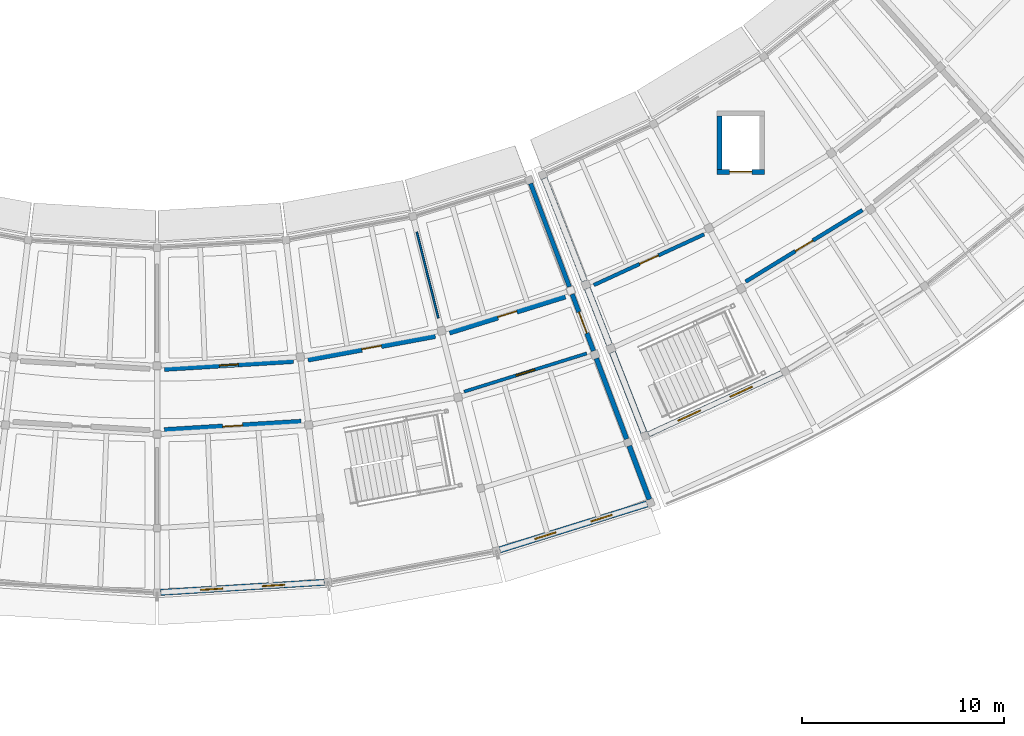
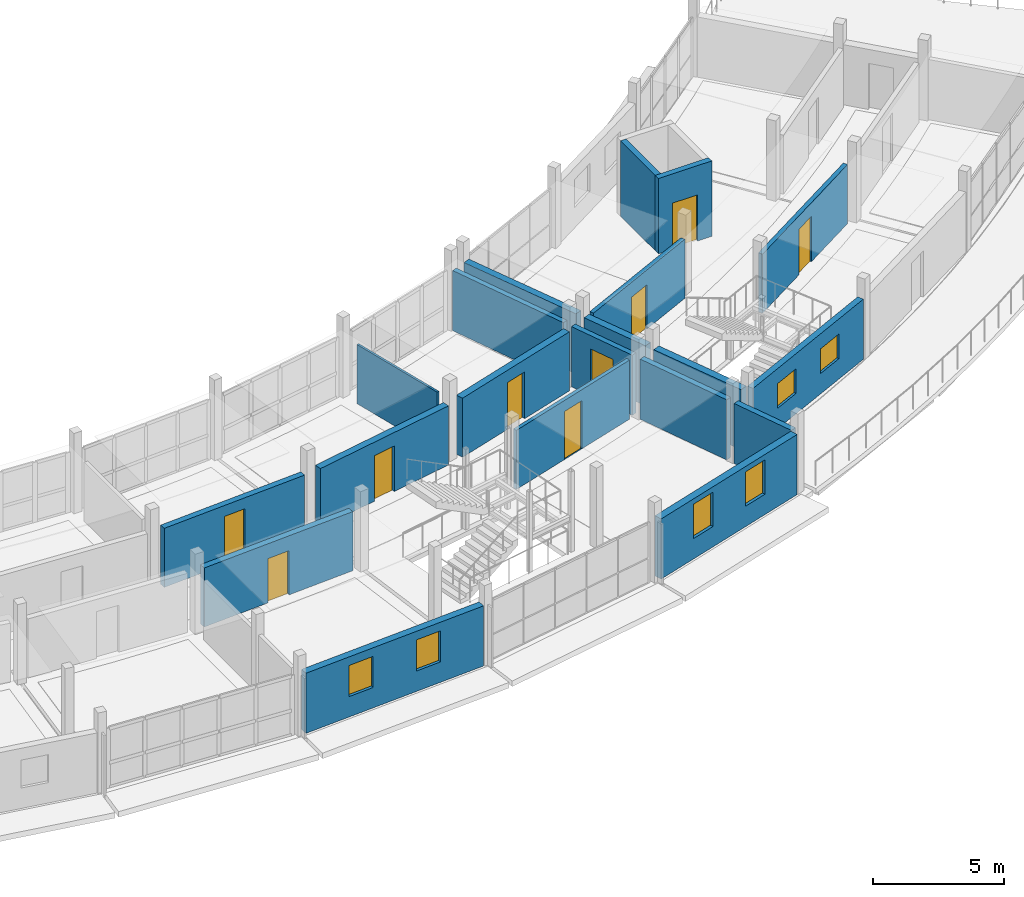
# One storey, part 27 of 36: 20 walls, 9 doors, 6 windows, 15 openings.
"""IFC4 building model written with IfcOpenShell, lengths in metres."""

from ifc_helpers import new_model, si_unit, direction, frame, frame_2d, origin, place, context, subcontext, project, spatial, rectangle, extrude, material, layer, layer_set, type_object, element, fill, save


model = new_model("IFC4")

# Units and contexts
model_context = context("Model", 3, precision=1e-05, world=origin(), true_north=direction((0.0, 1.0)))
body_context = subcontext(model_context, "Body", "Model", "MODEL_VIEW")
ifc_project = project(units=[si_unit("LENGTHUNIT", "METRE"), si_unit("AREAUNIT", "SQUARE_METRE"), si_unit("VOLUMEUNIT", "CUBIC_METRE"), si_unit("PLANEANGLEUNIT", "RADIAN"), si_unit("MASSUNIT", "GRAM", prefix="KILO")], contexts=[model_context])

# Site, building, storey
site_placement = place(None, origin())
site = spatial("IfcSite", under=ifc_project, at=site_placement, CompositionType="ELEMENT")
building_placement = place(site_placement, origin())
building = spatial("IfcBuilding", under=site, at=building_placement, Name="Caldaven Crescent School", CompositionType="ELEMENT")
storey_placement = place(building_placement, frame((0.0, 0.0, 11.89990234375)))
storey = spatial("IfcBuildingStorey", under=building, at=storey_placement, Name="L03", CompositionType="ELEMENT", Elevation=11.89990234375)

# Wall, opening, door
ifc_material_1 = material(Name="Concrete C35/45", Category="concrete")
ifc_layer_1 = layer(ifc_material_1, 0.300048828125)
ifc_layer_set_1 = layer_set([ifc_layer_1], Name="Concrete C35/45")
wall_type_1 = type_object("IfcWallType", Name="WAL-CW1", PredefinedType="SHEAR", material=ifc_layer_set_1)
wall_1_placement = place(storey_placement, frame((115.771484375, 47.313720703125, 0.0), z_axis=(0.0, 0.0, 1.0), x_axis=(1.0, 0.0, 0.0)))
wall_1 = element("IfcWall", 1, at=wall_1_placement, inside=storey, type_object=wall_type_1, Name="CW-LF6-L03-S", PredefinedType="SHEAR", context=body_context, shape_type="SweptSolid", body=[
    extrude(rectangle(XDim=2.349853515625, YDim=0.25, at=frame_2d((1.1748046875, 0.0))), origin(), (0.0, 0.0, 1.0), 3.510009765625),
])
opening_1_placement = place(wall_1_placement, frame((0.625, 0.0, 0.0)))
opening_1 = element("IfcOpeningElement", 2, at=opening_1_placement, cuts=wall_1, Name="Opening LD-LF6-L03", PredefinedType="OPENING", context=body_context, shape_type="SweptSolid", body=[
    extrude(rectangle(XDim=1.10009765625, YDim=2.14990234375, at=frame_2d((0.550048828125, 1.074951171875))), frame((0.0, 0.135009765625, 0.0), z_axis=(0.0, -1.0, 0.0), x_axis=(1.0, 0.0, 0.0)), (0.0, 0.0, 1.0), 0.27001953125),
])
ifc_material_2 = material(Name="Brushed stainless-steel automatic telescopic landing door", Category="steel")
door_type_1 = type_object("IfcDoorType", Name="DOR-LD01", OperationType="DOUBLE_DOOR_SLIDING", PredefinedType="DOOR", material=ifc_material_2)
door_1_placement = place(opening_1_placement, origin())
door_1 = element("IfcDoor", 3, at=door_1_placement, inside=storey, type_object=door_type_1, Name="DOR-LD-LF6-L03", OperationType="DOUBLE_DOOR_SLIDING", OverallHeight=2.14990234375, OverallWidth=1.10009765625, PredefinedType="DOOR", context=body_context, shape_type="SweptSolid", body=[
    extrude(rectangle(XDim=1.10009765625, YDim=2.14990234375, at=frame_2d((0.550048828125, 1.074951171875))), frame((0.0, 0.02490234375, 0.0), z_axis=(0.0, -1.0, 0.0), x_axis=(1.0, 0.0, 0.0)), (0.0, 0.0, 1.0), 0.050048828125),
])
fill(opening_1, door_1)

# Walls
ifc_layer_2 = layer(ifc_material_1, 0.25)
ifc_layer_set_2 = layer_set([ifc_layer_2], Name="Concrete C35/45")
wall_type_2 = type_object("IfcWallType", Name="WAL-CW2", PredefinedType="SHEAR", material=ifc_layer_set_2)
wall_2_placement = place(storey_placement, frame((115.896484375, 47.438720703125, 0.0), z_axis=(0.0, 0.0, 1.0), x_axis=(0.0, 1.0, 0.0)))
element("IfcWall", 4, at=wall_2_placement, inside=storey, type_object=wall_type_2, Name="CW-LF6-L03-W", PredefinedType="SHEAR", context=body_context, shape_type="SweptSolid", body=[
    extrude(rectangle(XDim=2.64990234375, YDim=0.25, at=frame_2d((1.324951171875, 0.0))), origin(), (0.0, 0.0, 1.0), 3.510009765625),
])
ifc_material_3 = material(Name="Precast concrete C35/45", Category="concrete")
ifc_layer_3 = layer(ifc_material_3, 0.216064453125)
ifc_layer_set_3 = layer_set([ifc_layer_3], Name="Precast concrete C35/45")
wall_type_3 = type_object("IfcWallType", Name="WAL-EW03", PredefinedType="STANDARD", material=ifc_layer_set_3)
wall_3_placement = place(storey_placement, frame((106.523193359375, 46.734130859375, 0.0), z_axis=(0.0, 0.0, 1.0), x_axis=(0.351945179515, -0.936020614418, 0.0)))
element("IfcWall", 5, at=wall_3_placement, inside=storey, type_object=wall_type_3, Name="EW-L03-212", PredefinedType="STANDARD", context=body_context, shape_type="SweptSolid", body=[
    extrude(rectangle(XDim=5.468994140625, YDim=0.216064453125, at=frame_2d((2.734375, 0.0))), origin(), (0.0, 0.0, 1.0), 2.800048828125),
])

# Wall, opening, door
ifc_layer_4 = layer(ifc_material_3, 0.22802734375)
ifc_layer_set_4 = layer_set([ifc_layer_4], Name="Precast concrete C35/45")
wall_type_4 = type_object("IfcWallType", Name="WAL-EW04", PredefinedType="STANDARD", material=ifc_layer_set_4)
wall_4_placement = place(storey_placement, frame((108.58740234375, 41.244384765625, 0.0), z_axis=(0.0, 0.0, 1.0), x_axis=(0.35191601468, -0.936031579922, 0.0)))
wall_4 = element("IfcWall", 6, at=wall_4_placement, inside=storey, type_object=wall_type_4, Name="EW-L03-213", PredefinedType="STANDARD", context=body_context, shape_type="SweptSolid", body=[
    extrude(rectangle(XDim=3.00390625, YDim=0.22802734375, at=frame_2d((1.501953125, 0.0))), origin(), (0.0, 0.0, 1.0), 2.800048828125),
])
opening_2_placement = place(wall_4_placement, frame((0.94189453125, 0.0, 0.0)))
opening_2 = element("IfcOpeningElement", 7, at=opening_2_placement, cuts=wall_4, Name="Opening D-L03-E035", PredefinedType="OPENING", context=body_context, shape_type="SweptSolid", body=[
    extrude(rectangle(XDim=1.1201171875, YDim=2.179931640625, at=frame_2d((0.56005859375, 1.08984375))), frame((0.0, 0.1240234375, 0.0), z_axis=(0.0, -1.0, 0.0), x_axis=(1.0, 0.0, 0.0)), (0.0, 0.0, 1.0), 0.248046875),
])
ifc_material_4 = material(Name="Thermally broken bronze-anodised aluminium and laminated safety glass", Category="aluminium")
door_type_2 = type_object("IfcDoorType", Name="DOR-EX04", OperationType="NOTDEFINED", PredefinedType="DOOR", material=ifc_material_4)
door_2_placement = place(opening_2_placement, origin())
door_2 = element("IfcDoor", 8, at=door_2_placement, inside=storey, type_object=door_type_2, Name="DOR-EXT-L03-035", OperationType="SINGLE_SWING_RIGHT", OverallHeight=2.179931640625, OverallWidth=1.1201171875, PredefinedType="DOOR", context=body_context, shape_type="SweptSolid", body=[
    extrude(rectangle(XDim=1.1201171875, YDim=2.179931640625, at=frame_2d((0.56005859375, 1.08984375))), frame((0.0, 0.02490234375, 0.0), z_axis=(0.0, -1.0, 0.0), x_axis=(1.0, 0.0, 0.0)), (0.0, 0.0, 1.0), 0.050048828125),
])
fill(opening_2, door_2)

# Walls
ifc_layer_5 = layer(ifc_material_3, 0.239990234375)
ifc_layer_set_5 = layer_set([ifc_layer_5], Name="Precast concrete C35/45")
wall_type_5 = type_object("IfcWallType", Name="WAL-EW05", PredefinedType="STANDARD", material=ifc_layer_set_5)
wall_5_placement = place(storey_placement, frame((109.783935546875, 38.061767578125, 0.0), z_axis=(0.0, 0.0, 1.0), x_axis=(0.351894221541, -0.936039773111, 0.0)))
element("IfcWall", 9, at=wall_5_placement, inside=storey, type_object=wall_type_5, Name="EW-L03-214", PredefinedType="STANDARD", context=body_context, shape_type="SweptSolid", body=[
    extrude(rectangle(XDim=4.268798828125, YDim=0.239990234375, at=frame_2d((2.13427734375, 0.0))), origin(), (0.0, 0.0, 1.0), 2.800048828125),
])
ifc_layer_6 = layer(ifc_material_3, 0.251953125)
ifc_layer_set_6 = layer_set([ifc_layer_6], Name="Precast concrete C35/45")
wall_type_6 = type_object("IfcWallType", Name="WAL-EW06", PredefinedType="STANDARD", material=ifc_layer_set_6)
wall_6_placement = place(storey_placement, frame((111.4150390625, 33.723388671875, 0.0), z_axis=(0.0, 0.0, 1.0), x_axis=(0.351925812761, -0.936027896119, 0.0)))
element("IfcWall", 10, at=wall_6_placement, inside=storey, type_object=wall_type_6, Name="EW-L03-215", PredefinedType="STANDARD", context=body_context, shape_type="SweptSolid", body=[
    extrude(rectangle(XDim=2.833984375, YDim=0.251953125, at=frame_2d((1.4169921875, 0.0))), origin(), (0.0, 0.0, 1.0), 2.800048828125),
])

# Wall, openings, windows
ifc_layer_7 = layer(ifc_material_3, 0.263916015625)
ifc_layer_set_7 = layer_set([ifc_layer_7], Name="Precast concrete C35/45")
wall_type_7 = type_object("IfcWallType", Name="WAL-EW07", PredefinedType="STANDARD", material=ifc_layer_set_7)
wall_7_placement = place(storey_placement, frame((112.369873046875, 34.298583984375, 0.0), z_axis=(0.0, 0.0, 1.0), x_axis=(0.908522029841, 0.417836955396, 0.0)))
wall_7 = element("IfcWall", 11, at=wall_7_placement, inside=storey, type_object=wall_type_7, Name="EW-L03-216", PredefinedType="STANDARD", context=body_context, shape_type="SweptSolid", body=[
    extrude(rectangle(XDim=7.279052734375, YDim=0.263916015625, at=frame_2d((3.6396484375, 0.0))), origin(), (0.0, 0.0, 1.0), 2.800048828125),
])
opening_3_placement = place(wall_7_placement, frame((1.613037109375, 0.0, 0.949951171875)))
opening_3 = element("IfcOpeningElement", 12, at=opening_3_placement, cuts=wall_7, Name="Opening W05", PredefinedType="OPENING", context=body_context, shape_type="SweptSolid", body=[
    extrude(rectangle(XDim=1.219970703125, YDim=1.14990234375, at=frame_2d((0.60986328125, 0.574951171875))), frame((0.0, 0.141845703125, 0.0), z_axis=(0.0, -1.0, 0.0), x_axis=(1.0, 0.0, 0.0)), (0.0, 0.0, 1.0), 0.283935546875),
])
opening_4_placement = place(wall_7_placement, frame((4.446044921875, 0.0, 0.949951171875)))
opening_4 = element("IfcOpeningElement", 13, at=opening_4_placement, cuts=wall_7, Name="Opening W05", PredefinedType="OPENING", context=body_context, shape_type="SweptSolid", body=[
    extrude(rectangle(XDim=1.219970703125, YDim=1.14990234375, at=frame_2d((0.60986328125, 0.574951171875))), frame((0.0, 0.141845703125, 0.0), z_axis=(0.0, -1.0, 0.0), x_axis=(1.0, 0.0, 0.0)), (0.0, 0.0, 1.0), 0.283935546875),
])
ifc_material_5 = material(Name="Thermally broken anodised aluminium AA 6063-T6 and low-E double glazing", Category="aluminium")
window_type_1 = type_object("IfcWindowType", Name="WIN-W05", PartitioningType="SINGLE_PANEL", PredefinedType="WINDOW", material=ifc_material_5)
window_1_placement = place(opening_3_placement, origin())
window_1 = element("IfcWindow", 14, at=window_1_placement, inside=storey, type_object=window_type_1, Name="WIN-L03-100-1", OverallHeight=1.14990234375, OverallWidth=1.219970703125, PartitioningType="SINGLE_PANEL", PredefinedType="WINDOW", context=body_context, shape_type="SweptSolid", body=[
    extrude(rectangle(XDim=1.219970703125, YDim=1.14990234375, at=frame_2d((0.60986328125, 0.574951171875))), frame((0.0, 0.030029296875, 0.0), z_axis=(0.0, -1.0, 0.0), x_axis=(1.0, 0.0, 0.0)), (0.0, 0.0, 1.0), 0.06005859375),
])
fill(opening_3, window_1)
window_2_placement = place(opening_4_placement, origin())
window_2 = element("IfcWindow", 15, at=window_2_placement, inside=storey, type_object=window_type_1, Name="WIN-L03-100-2", OverallHeight=1.14990234375, OverallWidth=1.219970703125, PartitioningType="SINGLE_PANEL", PredefinedType="WINDOW", context=body_context, shape_type="SweptSolid", body=[
    extrude(rectangle(XDim=1.219970703125, YDim=1.14990234375, at=frame_2d((0.60986328125, 0.574951171875))), frame((0.0, 0.030029296875, 0.0), z_axis=(0.0, -1.0, 0.0), x_axis=(1.0, 0.0, 0.0)), (0.0, 0.0, 1.0), 0.06005859375),
])
fill(opening_4, window_2)

# Wall
ifc_layer_8 = layer(ifc_material_3, 0.300048828125)
ifc_layer_set_8 = layer_set([ifc_layer_8], Name="Precast concrete C35/45")
wall_type_8 = type_object("IfcWallType", Name="WAL-EW10", PredefinedType="STANDARD", material=ifc_layer_set_8)
wall_8_placement = place(storey_placement, frame((107.199951171875, 46.993896484375, 0.0), z_axis=(0.0, 0.0, 1.0), x_axis=(0.364769628664, -0.931097802599, 0.0)))
element("IfcWall", 16, at=wall_8_placement, inside=storey, type_object=wall_type_8, Name="EW-L03-219", PredefinedType="STANDARD", context=body_context, shape_type="SweptSolid", body=[
    extrude(rectangle(XDim=5.46875, YDim=0.300048828125, at=frame_2d((2.734375, 0.0))), origin(), (0.0, 0.0, 1.0), 2.800048828125),
])

# Wall, openings, windows
ifc_layer_9 = layer(ifc_material_3, 0.31201171875)
ifc_layer_set_9 = layer_set([ifc_layer_9], Name="Precast concrete C35/45")
wall_type_9 = type_object("IfcWallType", Name="WAL-EW11", PredefinedType="STANDARD", material=ifc_layer_set_9)
wall_9_placement = place(storey_placement, frame((88.1826171875, 26.461181640625, 0.0), z_axis=(0.0, 0.0, 1.0), x_axis=(0.998134696936, 0.061050198789, 0.0)))
wall_9 = element("IfcWall", 17, at=wall_9_placement, inside=storey, type_object=wall_type_9, Name="EW-L03-206", PredefinedType="STANDARD", context=body_context, shape_type="SweptSolid", body=[
    extrude(rectangle(XDim=8.1259765625, YDim=0.31201171875, at=frame_2d((4.06298828125, 0.0))), origin(), (0.0, 0.0, 1.0), 2.800048828125),
])
opening_5_placement = place(wall_9_placement, frame((1.975341796875, 0.0, 0.949951171875)))
opening_5 = element("IfcOpeningElement", 18, at=opening_5_placement, cuts=wall_9, Name="Opening W03", PredefinedType="OPENING", context=body_context, shape_type="SweptSolid", body=[
    extrude(rectangle(XDim=1.10009765625, YDim=1.449951171875, at=frame_2d((0.550048828125, 0.72509765625))), frame((0.0, 0.166015625, 0.0), z_axis=(0.0, -1.0, 0.0), x_axis=(1.0, 0.0, 0.0)), (0.0, 0.0, 1.0), 0.33203125),
])
opening_6_placement = place(wall_9_placement, frame((5.050537109375, 0.0, 0.949951171875)))
opening_6 = element("IfcOpeningElement", 19, at=opening_6_placement, cuts=wall_9, Name="Opening W03", PredefinedType="OPENING", context=body_context, shape_type="SweptSolid", body=[
    extrude(rectangle(XDim=1.10009765625, YDim=1.449951171875, at=frame_2d((0.550048828125, 0.72509765625))), frame((0.0, 0.166015625, 0.0), z_axis=(0.0, -1.0, 0.0), x_axis=(1.0, 0.0, 0.0)), (0.0, 0.0, 1.0), 0.33203125),
])
window_type_2 = type_object("IfcWindowType", Name="WIN-W03", PartitioningType="SINGLE_PANEL", PredefinedType="WINDOW", material=ifc_material_5)
window_3_placement = place(opening_5_placement, origin())
window_3 = element("IfcWindow", 20, at=window_3_placement, inside=storey, type_object=window_type_2, Name="WIN-L03-098-1", OverallHeight=1.449951171875, OverallWidth=1.10009765625, PartitioningType="SINGLE_PANEL", PredefinedType="WINDOW", context=body_context, shape_type="SweptSolid", body=[
    extrude(rectangle(XDim=1.10009765625, YDim=1.449951171875, at=frame_2d((0.550048828125, 0.72509765625))), frame((0.0, 0.030029296875, 0.0), z_axis=(0.0, -1.0, 0.0), x_axis=(1.0, 0.0, 0.0)), (0.0, 0.0, 1.0), 0.06005859375),
])
fill(opening_5, window_3)
window_4_placement = place(opening_6_placement, origin())
window_4 = element("IfcWindow", 21, at=window_4_placement, inside=storey, type_object=window_type_2, Name="WIN-L03-098-2", OverallHeight=1.449951171875, OverallWidth=1.10009765625, PartitioningType="SINGLE_PANEL", PredefinedType="WINDOW", context=body_context, shape_type="SweptSolid", body=[
    extrude(rectangle(XDim=1.10009765625, YDim=1.449951171875, at=frame_2d((0.550048828125, 0.72509765625))), frame((0.0, 0.030029296875, 0.0), z_axis=(0.0, -1.0, 0.0), x_axis=(1.0, 0.0, 0.0)), (0.0, 0.0, 1.0), 0.06005859375),
])
fill(opening_6, window_4)

# Wall
wall_10_placement = place(storey_placement, frame((109.33935546875, 41.532958984375, 0.0), z_axis=(0.0, 0.0, 1.0), x_axis=(0.364767061135, -0.931098808458, 0.0)))
element("IfcWall", 22, at=wall_10_placement, inside=storey, type_object=wall_type_9, Name="EW-L03-220", PredefinedType="STANDARD", context=body_context, shape_type="SweptSolid", body=[
    extrude(rectangle(XDim=3.00390625, YDim=0.31201171875, at=frame_2d((1.501953125, 0.0))), origin(), (0.0, 0.0, 1.0), 2.800048828125),
])

# Wall, openings, windows
ifc_layer_10 = layer(ifc_material_3, 0.323974609375)
ifc_layer_set_10 = layer_set([ifc_layer_10], Name="Precast concrete C35/45")
wall_type_10 = type_object("IfcWallType", Name="WAL-EW12", PredefinedType="STANDARD", material=ifc_layer_set_10)
wall_11_placement = place(storey_placement, frame((105.00048828125, 28.5703125, 0.0), z_axis=(0.0, 0.0, 1.0), x_axis=(0.954742608438, 0.297433272572, 0.0)))
wall_11 = element("IfcWall", 23, at=wall_11_placement, inside=storey, type_object=wall_type_10, Name="EW-L03-207", PredefinedType="STANDARD", context=body_context, shape_type="SweptSolid", body=[
    extrude(rectangle(XDim=7.647705078125, YDim=0.323974609375, at=frame_2d((3.82373046875, 0.0))), origin(), (0.0, 0.0, 1.0), 2.800048828125),
])
opening_7_placement = place(wall_11_placement, frame((1.81591796875, 0.0, 0.949951171875)))
opening_7 = element("IfcOpeningElement", 24, at=opening_7_placement, cuts=wall_11, Name="Opening W04", PredefinedType="OPENING", context=body_context, shape_type="SweptSolid", body=[
    extrude(rectangle(XDim=1.10009765625, YDim=1.60009765625, at=frame_2d((0.550048828125, 0.800048828125))), frame((0.0, 0.171875, 0.0), z_axis=(0.0, -1.0, 0.0), x_axis=(1.0, 0.0, 0.0)), (0.0, 0.0, 1.0), 0.343994140625),
])
opening_8_placement = place(wall_11_placement, frame((4.73193359375, 0.0, 0.949951171875)))
opening_8 = element("IfcOpeningElement", 25, at=opening_8_placement, cuts=wall_11, Name="Opening W04", PredefinedType="OPENING", context=body_context, shape_type="SweptSolid", body=[
    extrude(rectangle(XDim=1.10009765625, YDim=1.60009765625, at=frame_2d((0.550048828125, 0.800048828125))), frame((0.0, 0.171875, 0.0), z_axis=(0.0, -1.0, 0.0), x_axis=(1.0, 0.0, 0.0)), (0.0, 0.0, 1.0), 0.343994140625),
])
window_type_3 = type_object("IfcWindowType", Name="WIN-W04", PartitioningType="SINGLE_PANEL", PredefinedType="WINDOW", material=ifc_material_5)
window_5_placement = place(opening_7_placement, origin())
window_5 = element("IfcWindow", 26, at=window_5_placement, inside=storey, type_object=window_type_3, Name="WIN-L03-099-1", OverallHeight=1.60009765625, OverallWidth=1.10009765625, PartitioningType="SINGLE_PANEL", PredefinedType="WINDOW", context=body_context, shape_type="SweptSolid", body=[
    extrude(rectangle(XDim=1.10009765625, YDim=1.60009765625, at=frame_2d((0.550048828125, 0.800048828125))), frame((0.0, 0.030029296875, 0.0), z_axis=(0.0, -1.0, 0.0), x_axis=(1.0, 0.0, 0.0)), (0.0, 0.0, 1.0), 0.06005859375),
])
fill(opening_7, window_5)
window_6_placement = place(opening_8_placement, origin())
window_6 = element("IfcWindow", 27, at=window_6_placement, inside=storey, type_object=window_type_3, Name="WIN-L03-099-2", OverallHeight=1.60009765625, OverallWidth=1.10009765625, PartitioningType="SINGLE_PANEL", PredefinedType="WINDOW", context=body_context, shape_type="SweptSolid", body=[
    extrude(rectangle(XDim=1.10009765625, YDim=1.60009765625, at=frame_2d((0.550048828125, 0.800048828125))), frame((0.0, 0.030029296875, 0.0), z_axis=(0.0, -1.0, 0.0), x_axis=(1.0, 0.0, 0.0)), (0.0, 0.0, 1.0), 0.06005859375),
])
fill(opening_8, window_6)

# Wall
wall_12_placement = place(storey_placement, frame((110.57958984375, 38.367431640625, 0.0), z_axis=(0.0, 0.0, 1.0), x_axis=(0.364804695314, -0.931084064023, 0.0)))
element("IfcWall", 28, at=wall_12_placement, inside=storey, type_object=wall_type_10, Name="EW-L03-221", PredefinedType="STANDARD", context=body_context, shape_type="SweptSolid", body=[
    extrude(rectangle(XDim=4.26904296875, YDim=0.323974609375, at=frame_2d((2.134521484375, 0.0))), origin(), (0.0, 0.0, 1.0), 2.800048828125),
])

# Wall, opening, door
ifc_material_6 = material(Name="Acoustic timber-stud and fire-rated gypsum board assembly", Category="wood")
ifc_layer_11 = layer(ifc_material_6, 0.159912109375)
ifc_layer_set_11 = layer_set([ifc_layer_11], Name="Acoustic timber-stud and fire-rated gypsum board assembly")
wall_type_11 = type_object("IfcWallType", Name="WAL-IW01", PredefinedType="STANDARD", material=ifc_layer_set_11)
wall_13_placement = place(storey_placement, frame((103.226806640625, 36.41455078125, 0.0), z_axis=(0.0, 0.0, 1.0), x_axis=(0.954750390155, 0.297408292585, 0.0)))
wall_13 = element("IfcWall", 29, at=wall_13_placement, inside=storey, type_object=wall_type_11, Name="IW-L03-0272", PredefinedType="STANDARD", context=body_context, shape_type="SweptSolid", body=[
    extrude(rectangle(XDim=6.368408203125, YDim=0.159912109375, at=frame_2d((3.18408203125, 0.0))), origin(), (0.0, 0.0, 1.0), 2.75),
])
opening_9_placement = place(wall_13_placement, frame((2.6943359375, 0.0, 0.0)))
opening_9 = element("IfcOpeningElement", 30, at=opening_9_placement, cuts=wall_13, Name="Opening D-L03-I195", PredefinedType="OPENING", context=body_context, shape_type="SweptSolid", body=[
    extrude(rectangle(XDim=0.97998046875, YDim=2.239990234375, at=frame_2d((0.489990234375, 1.1201171875))), frame((0.0, 0.08984375, 0.0), z_axis=(0.0, -1.0, 0.0), x_axis=(1.0, 0.0, 0.0)), (0.0, 0.0, 1.0), 0.179931640625),
])
ifc_material_7 = material(Name="Solid-core Pino Radiata acoustic timber leaf in steel frame", Category="steel")
door_type_3 = type_object("IfcDoorType", Name="DOR-ID16", OperationType="NOTDEFINED", PredefinedType="DOOR", material=ifc_material_7)
door_3_placement = place(opening_9_placement, origin())
door_3 = element("IfcDoor", 31, at=door_3_placement, inside=storey, type_object=door_type_3, Name="DOR-INT-L03-0195", OperationType="SINGLE_SWING_RIGHT", OverallHeight=2.239990234375, OverallWidth=0.97998046875, PredefinedType="DOOR", context=body_context, shape_type="SweptSolid", body=[
    extrude(rectangle(XDim=0.97998046875, YDim=2.239990234375, at=frame_2d((0.489990234375, 1.1201171875))), frame((0.0, 0.02490234375, 0.0), z_axis=(0.0, -1.0, 0.0), x_axis=(1.0, 0.0, 0.0)), (0.0, 0.0, 1.0), 0.050048828125),
])
fill(opening_9, door_3)

ifc_layer_12 = layer(ifc_material_6, 0.179931640625)
ifc_layer_set_12 = layer_set([ifc_layer_12], Name="Acoustic timber-stud and fire-rated gypsum board assembly")
wall_type_12 = type_object("IfcWallType", Name="WAL-IW03", PredefinedType="STANDARD", material=ifc_layer_set_12)
wall_14_placement = place(storey_placement, frame((109.659912109375, 41.7001953125, 0.0), z_axis=(0.0, 0.0, 1.0), x_axis=(0.908523717144, 0.417833286595, 0.0)))
wall_14 = element("IfcWall", 32, at=wall_14_placement, inside=storey, type_object=wall_type_12, Name="IW-L03-0274", PredefinedType="STANDARD", context=body_context, shape_type="SweptSolid", body=[
    extrude(rectangle(XDim=6.018310546875, YDim=0.179931640625, at=frame_2d((3.00927734375, 0.0))), origin(), (0.0, 0.0, 1.0), 2.75),
])
opening_10_placement = place(wall_14_placement, frame((2.4990234375, 0.0, 0.0)))
opening_10 = element("IfcOpeningElement", 33, at=opening_10_placement, cuts=wall_14, Name="Opening D-L03-I196", PredefinedType="OPENING", context=body_context, shape_type="SweptSolid", body=[
    extrude(rectangle(XDim=1.02001953125, YDim=2.06005859375, at=frame_2d((0.510009765625, 1.030029296875))), frame((0.0, 0.099853515625, 0.0), z_axis=(0.0, -1.0, 0.0), x_axis=(1.0, 0.0, 0.0)), (0.0, 0.0, 1.0), 0.199951171875),
])
door_type_4 = type_object("IfcDoorType", Name="DOR-ID17", OperationType="NOTDEFINED", PredefinedType="DOOR", material=ifc_material_7)
door_4_placement = place(opening_10_placement, frame((1.02001953125, 0.0, 0.0), z_axis=(0.0, 0.0, 1.0), x_axis=(-1.0, 0.0, 0.0)))
door_4 = element("IfcDoor", 34, at=door_4_placement, inside=storey, type_object=door_type_4, Name="DOR-INT-L03-0196", OperationType="SINGLE_SWING_LEFT", OverallHeight=2.06005859375, OverallWidth=1.02001953125, PredefinedType="DOOR", context=body_context, shape_type="SweptSolid", body=[
    extrude(rectangle(XDim=1.02001953125, YDim=2.06005859375, at=frame_2d((0.510009765625, 1.030029296875))), frame((0.0, 0.02490234375, 0.0), z_axis=(0.0, -1.0, 0.0), x_axis=(1.0, 0.0, 0.0)), (0.0, 0.0, 1.0), 0.050048828125),
])
fill(opening_10, door_4)

ifc_layer_13 = layer(ifc_material_6, 0.18994140625)
ifc_layer_set_13 = layer_set([ifc_layer_13], Name="Acoustic timber-stud and fire-rated gypsum board assembly")
wall_type_13 = type_object("IfcWallType", Name="WAL-IW04", PredefinedType="STANDARD", material=ifc_layer_set_13)
wall_15_placement = place(storey_placement, frame((117.188720703125, 41.869140625, 0.0), z_axis=(0.0, 0.0, 1.0), x_axis=(0.852640514979, 0.522497992547, 0.0)))
wall_15 = element("IfcWall", 35, at=wall_15_placement, inside=storey, type_object=wall_type_13, Name="IW-L03-0275", PredefinedType="STANDARD", context=body_context, shape_type="SweptSolid", body=[
    extrude(rectangle(XDim=6.79150390625, YDim=0.18994140625, at=frame_2d((3.395751953125, 0.0))), origin(), (0.0, 0.0, 1.0), 2.75),
])
opening_11_placement = place(wall_15_placement, frame((2.8857421875, 0.0, 0.0)))
opening_11 = element("IfcOpeningElement", 36, at=opening_11_placement, cuts=wall_15, Name="Opening D-L03-I197", PredefinedType="OPENING", context=body_context, shape_type="SweptSolid", body=[
    extrude(rectangle(XDim=1.02001953125, YDim=2.1201171875, at=frame_2d((0.510009765625, 1.06005859375))), frame((0.0, 0.10498046875, 0.0), z_axis=(0.0, -1.0, 0.0), x_axis=(1.0, 0.0, 0.0)), (0.0, 0.0, 1.0), 0.2099609375),
])
door_type_5 = type_object("IfcDoorType", Name="DOR-ID18", OperationType="NOTDEFINED", PredefinedType="DOOR", material=ifc_material_7)
door_5_placement = place(opening_11_placement, origin())
door_5 = element("IfcDoor", 37, at=door_5_placement, inside=storey, type_object=door_type_5, Name="DOR-INT-L03-0197", OperationType="SINGLE_SWING_RIGHT", OverallHeight=2.1201171875, OverallWidth=1.02001953125, PredefinedType="DOOR", context=body_context, shape_type="SweptSolid", body=[
    extrude(rectangle(XDim=1.02001953125, YDim=2.1201171875, at=frame_2d((0.510009765625, 1.06005859375))), frame((0.0, 0.02490234375, 0.0), z_axis=(0.0, -1.0, 0.0), x_axis=(1.0, 0.0, 0.0)), (0.0, 0.0, 1.0), 0.050048828125),
])
fill(opening_11, door_5)

ifc_layer_14 = layer(ifc_material_6, 0.260009765625)
ifc_layer_set_14 = layer_set([ifc_layer_14], Name="Acoustic timber-stud and fire-rated gypsum board assembly")
wall_type_14 = type_object("IfcWallType", Name="WAL-IW11", PredefinedType="STANDARD", material=ifc_layer_set_14)
wall_16_placement = place(storey_placement, frame((88.359375, 37.5419921875, 0.0), z_axis=(0.0, 0.0, 1.0), x_axis=(0.998135716959, 0.061033519724, 0.0)))
wall_16 = element("IfcWall", 38, at=wall_16_placement, inside=storey, type_object=wall_type_14, Name="IW-L03-0266", PredefinedType="STANDARD", context=body_context, shape_type="SweptSolid", body=[
    extrude(rectangle(XDim=6.420166015625, YDim=0.260009765625, at=frame_2d((3.2099609375, 0.0))), origin(), (0.0, 0.0, 1.0), 2.75),
])
opening_12_placement = place(wall_16_placement, frame((2.739990234375, 0.0, 0.0)))
opening_12 = element("IfcOpeningElement", 39, at=opening_12_placement, cuts=wall_16, Name="Opening D-L03-I191", PredefinedType="OPENING", context=body_context, shape_type="SweptSolid", body=[
    extrude(rectangle(XDim=0.93994140625, YDim=2.239990234375, at=frame_2d((0.469970703125, 1.1201171875))), frame((0.0, 0.139892578125, 0.0), z_axis=(0.0, -1.0, 0.0), x_axis=(1.0, 0.0, 0.0)), (0.0, 0.0, 1.0), 0.280029296875),
])
door_type_6 = type_object("IfcDoorType", Name="DOR-ID12", OperationType="NOTDEFINED", PredefinedType="DOOR", material=ifc_material_7)
door_6_placement = place(opening_12_placement, frame((0.93994140625, 0.0, 0.0), z_axis=(0.0, 0.0, 1.0), x_axis=(-1.0, 0.0, 0.0)))
door_6 = element("IfcDoor", 40, at=door_6_placement, inside=storey, type_object=door_type_6, Name="DOR-INT-L03-0191", OperationType="SINGLE_SWING_RIGHT", OverallHeight=2.239990234375, OverallWidth=0.93994140625, PredefinedType="DOOR", context=body_context, shape_type="SweptSolid", body=[
    extrude(rectangle(XDim=0.93994140625, YDim=2.239990234375, at=frame_2d((0.469970703125, 1.1201171875))), frame((0.0, 0.02490234375, 0.0), z_axis=(0.0, -1.0, 0.0), x_axis=(1.0, 0.0, 0.0)), (0.0, 0.0, 1.0), 0.050048828125),
])
fill(opening_12, door_6)

ifc_material_8 = material(Name="Autoclaved aerated concrete block masonry G5", Category="masonry")
ifc_layer_15 = layer(ifc_material_8, 0.27001953125)
ifc_layer_set_15 = layer_set([ifc_layer_15], Name="Autoclaved aerated concrete block masonry G5")
wall_type_15 = type_object("IfcWallType", Name="WAL-IW12", PredefinedType="STANDARD", material=ifc_layer_set_15)
wall_17_placement = place(storey_placement, frame((88.359375, 34.501953125, 0.0), z_axis=(0.0, 0.0, 1.0), x_axis=(0.998135326973, 0.061039897184, 0.0)))
wall_17 = element("IfcWall", 41, at=wall_17_placement, inside=storey, type_object=wall_type_15, Name="IW-L03-0267", PredefinedType="STANDARD", context=body_context, shape_type="SweptSolid", body=[
    extrude(rectangle(XDim=6.79150390625, YDim=0.27001953125, at=frame_2d((3.395751953125, 0.0))), origin(), (0.0, 0.0, 1.0), 2.75),
])
opening_13_placement = place(wall_17_placement, frame((2.90576171875, 0.0, 0.0)))
opening_13 = element("IfcOpeningElement", 42, at=opening_13_placement, cuts=wall_17, Name="Opening D-L03-I192", PredefinedType="OPENING", context=body_context, shape_type="SweptSolid", body=[
    extrude(rectangle(XDim=0.97998046875, YDim=2.06005859375, at=frame_2d((0.489990234375, 1.030029296875))), frame((0.0, 0.14501953125, 0.0), z_axis=(0.0, -1.0, 0.0), x_axis=(1.0, 0.0, 0.0)), (0.0, 0.0, 1.0), 0.2900390625),
])
door_type_7 = type_object("IfcDoorType", Name="DOR-ID13", OperationType="NOTDEFINED", PredefinedType="DOOR", material=ifc_material_7)
door_7_placement = place(opening_13_placement, origin())
door_7 = element("IfcDoor", 43, at=door_7_placement, inside=storey, type_object=door_type_7, Name="DOR-INT-L03-0192", OperationType="SINGLE_SWING_LEFT", OverallHeight=2.06005859375, OverallWidth=0.97998046875, PredefinedType="DOOR", context=body_context, shape_type="SweptSolid", body=[
    extrude(rectangle(XDim=0.97998046875, YDim=2.06005859375, at=frame_2d((0.489990234375, 1.030029296875))), frame((0.0, 0.02490234375, 0.0), z_axis=(0.0, -1.0, 0.0), x_axis=(1.0, 0.0, 0.0)), (0.0, 0.0, 1.0), 0.050048828125),
])
fill(opening_13, door_7)

ifc_layer_16 = layer(ifc_material_8, 0.300048828125)
ifc_layer_set_16 = layer_set([ifc_layer_16], Name="Autoclaved aerated concrete block masonry G5")
wall_type_16 = type_object("IfcWallType", Name="WAL-IW15", PredefinedType="STANDARD", material=ifc_layer_set_16)
wall_18_placement = place(storey_placement, frame((95.48095703125, 38.021484375, 0.0), z_axis=(0.0, 0.0, 1.0), x_axis=(0.983257031249, 0.182224066742, 0.0)))
wall_18 = element("IfcWall", 44, at=wall_18_placement, inside=storey, type_object=wall_type_16, Name="IW-L03-0270", PredefinedType="STANDARD", context=body_context, shape_type="SweptSolid", body=[
    extrude(rectangle(XDim=6.420166015625, YDim=0.300048828125, at=frame_2d((3.2099609375, 0.0))), origin(), (0.0, 0.0, 1.0), 2.75),
])
opening_14_placement = place(wall_18_placement, frame((2.72021484375, 0.0, 0.0)))
opening_14 = element("IfcOpeningElement", 45, at=opening_14_placement, cuts=wall_18, Name="Opening D-L03-I193", PredefinedType="OPENING", context=body_context, shape_type="SweptSolid", body=[
    extrude(rectangle(XDim=0.97998046875, YDim=2.1201171875, at=frame_2d((0.489990234375, 1.06005859375))), frame((0.0, 0.159912109375, 0.0), z_axis=(0.0, -1.0, 0.0), x_axis=(1.0, 0.0, 0.0)), (0.0, 0.0, 1.0), 0.320068359375),
])
door_type_8 = type_object("IfcDoorType", Name="DOR-ID14", OperationType="NOTDEFINED", PredefinedType="DOOR", material=ifc_material_7)
door_8_placement = place(opening_14_placement, frame((0.97998046875, 0.0, 0.0), z_axis=(0.0, 0.0, 1.0), x_axis=(-1.0, 0.0, 0.0)))
door_8 = element("IfcDoor", 46, at=door_8_placement, inside=storey, type_object=door_type_8, Name="DOR-INT-L03-0193", OperationType="SINGLE_SWING_RIGHT", OverallHeight=2.1201171875, OverallWidth=0.97998046875, PredefinedType="DOOR", context=body_context, shape_type="SweptSolid", body=[
    extrude(rectangle(XDim=0.97998046875, YDim=2.1201171875, at=frame_2d((0.489990234375, 1.06005859375))), frame((0.0, 0.02490234375, 0.0), z_axis=(0.0, -1.0, 0.0), x_axis=(1.0, 0.0, 0.0)), (0.0, 0.0, 1.0), 0.050048828125),
])
fill(opening_14, door_8)

ifc_layer_17 = layer(ifc_material_8, 0.31005859375)
ifc_layer_set_17 = layer_set([ifc_layer_17], Name="Autoclaved aerated concrete block masonry G5")
wall_type_17 = type_object("IfcWallType", Name="WAL-IW16", PredefinedType="STANDARD", material=ifc_layer_set_17)
wall_19_placement = place(storey_placement, frame((102.4912109375, 39.3642578125, 0.0), z_axis=(0.0, 0.0, 1.0), x_axis=(0.954756741519, 0.297387902451, 0.0)))
wall_19 = element("IfcWall", 47, at=wall_19_placement, inside=storey, type_object=wall_type_17, Name="IW-L03-0271", PredefinedType="STANDARD", context=body_context, shape_type="SweptSolid", body=[
    extrude(rectangle(XDim=6.018310546875, YDim=0.31005859375, at=frame_2d((3.00927734375, 0.0))), origin(), (0.0, 0.0, 1.0), 2.75),
])
opening_15_placement = place(wall_19_placement, frame((2.51904296875, 0.0, 0.0)))
opening_15 = element("IfcOpeningElement", 48, at=opening_15_placement, cuts=wall_19, Name="Opening D-L03-I194", PredefinedType="OPENING", context=body_context, shape_type="SweptSolid", body=[
    extrude(rectangle(XDim=0.97998046875, YDim=2.179931640625, at=frame_2d((0.489990234375, 1.08984375))), frame((0.0, 0.1650390625, 0.0), z_axis=(0.0, -1.0, 0.0), x_axis=(1.0, 0.0, 0.0)), (0.0, 0.0, 1.0), 0.330078125),
])
door_type_9 = type_object("IfcDoorType", Name="DOR-ID15", OperationType="NOTDEFINED", PredefinedType="DOOR", material=ifc_material_7)
door_9_placement = place(opening_15_placement, frame((0.97998046875, 0.0, 0.0), z_axis=(0.0, 0.0, 1.0), x_axis=(-1.0, 0.0, 0.0)))
door_9 = element("IfcDoor", 49, at=door_9_placement, inside=storey, type_object=door_type_9, Name="DOR-INT-L03-0194", OperationType="SINGLE_SWING_LEFT", OverallHeight=2.179931640625, OverallWidth=0.97998046875, PredefinedType="DOOR", context=body_context, shape_type="SweptSolid", body=[
    extrude(rectangle(XDim=0.97998046875, YDim=2.179931640625, at=frame_2d((0.489990234375, 1.08984375))), frame((0.0, 0.02490234375, 0.0), z_axis=(0.0, -1.0, 0.0), x_axis=(1.0, 0.0, 0.0)), (0.0, 0.0, 1.0), 0.050048828125),
])
fill(opening_15, door_9)

# Wall
ifc_material_9 = material(Name="Acoustic double-layer gypsum partition on galvanised steel studs", Category="steel")
ifc_layer_18 = layer(ifc_material_9, 0.092041015625)
ifc_layer_set_18 = layer_set([ifc_layer_18], Name="Acoustic double-layer gypsum partition on galvanised steel studs")
wall_type_18 = type_object("IfcWallType", Name="WAL-PT02", PredefinedType="PARTITIONING", material=ifc_layer_set_18)
wall_20_placement = place(storey_placement, frame((100.88232421875, 44.331787109375, 0.0), z_axis=(0.0, 0.0, 1.0), x_axis=(0.241921959033, -0.97029571046, 0.0)))
element("IfcWall", 50, at=wall_20_placement, inside=storey, type_object=wall_type_18, Name="IW-L03-0273", PredefinedType="PARTITIONING", context=body_context, shape_type="SweptSolid", body=[
    extrude(rectangle(XDim=4.39990234375, YDim=0.092041015625, at=frame_2d((2.199951171875, 0.0))), origin(), (0.0, 0.0, 1.0), 2.75),
])

save(model, "model.ifc")
